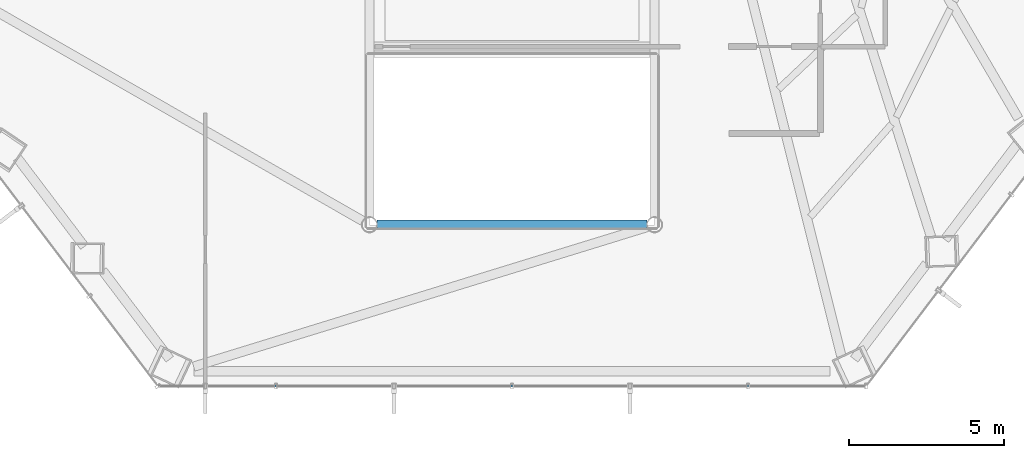
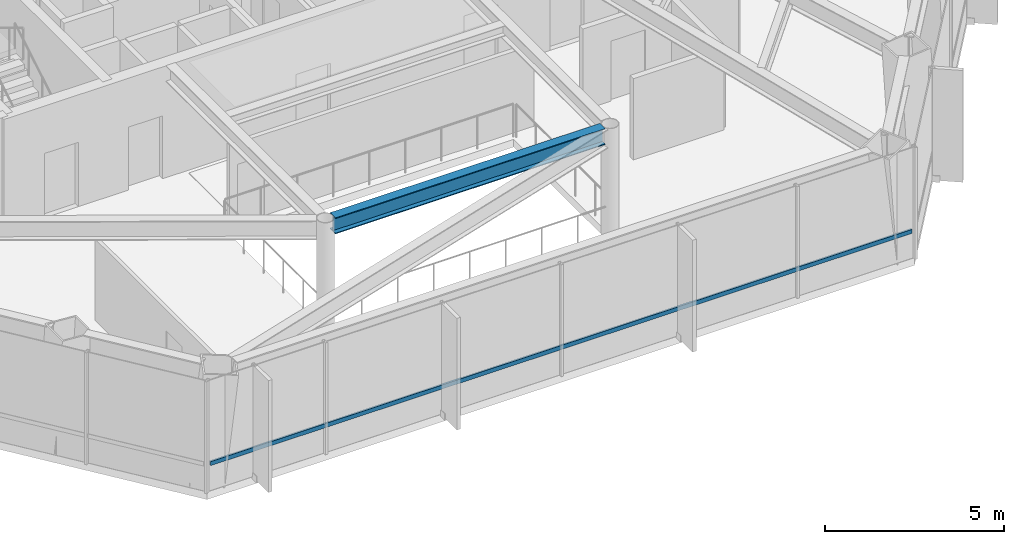
# One storey, part 8 of 26: 1 beam, 1 member, 1 element without a shape of its own.
"""IFC4 building model written with IfcOpenShell, lengths in metres."""

from ifc_helpers import new_model, si_unit, direction, frame, origin, origin_2d, place, context, subcontext, project, spatial, hollow_rectangle, i_section, extrude, material, layer, layer_set, material_profile, profile_set, type_object, element, aggregate, save


model = new_model("IFC4")

# Units and contexts
model_context = context("Model", 3, precision=1e-05, world=origin(), true_north=direction((0.0, 1.0)))
body_context = subcontext(model_context, "Body", "Model", "MODEL_VIEW")
ifc_project = project(units=[si_unit("LENGTHUNIT", "METRE"), si_unit("AREAUNIT", "SQUARE_METRE"), si_unit("VOLUMEUNIT", "CUBIC_METRE"), si_unit("PLANEANGLEUNIT", "RADIAN"), si_unit("MASSUNIT", "GRAM", prefix="KILO")], contexts=[model_context])

# Site, building, storey
site_placement = place(None, origin())
site = spatial("IfcSite", under=ifc_project, at=site_placement, CompositionType="ELEMENT")
building_placement = place(site_placement, origin())
building = spatial("IfcBuilding", under=site, at=building_placement, Name="Zarrinselat Tower", CompositionType="ELEMENT")
storey_placement = place(building_placement, frame((0.0, 0.0, 35.699951171875)))
storey = spatial("IfcBuildingStorey", under=building, at=storey_placement, Name="L08", CompositionType="ELEMENT", Elevation=35.699951171875)

# Beam
ifc_material_1 = material(Name="Steel S355J2", Category="steel")
ifc_material_profile_1 = material_profile(ifc_material_1, i_section(OverallWidth=0.300048828125, OverallDepth=0.550048828125, WebThickness=0.014892578125, FlangeThickness=0.029052734375, at=origin_2d()), Name="HEB 550")
ifc_profile_set_1 = profile_set([ifc_material_profile_1], Name="Steel S355J2")
beam_type = type_object("IfcBeamType", Name="BM-HEB550", PredefinedType="BEAM", material=ifc_profile_set_1)
beam_placement = place(storey_placement, frame((34.0400390625, 24.39990234375, 3.545166015625), z_axis=(1.0, 0.0, 0.0), x_axis=(0.0, 1.0, 0.0)))
element("IfcBeam", 1, at=beam_placement, inside=storey, type_object=beam_type, Name="L08 Atrium Edge Beam S", PredefinedType="BEAM", context=body_context, shape_type="SweptSolid", body=[
    extrude(i_section(OverallWidth=0.300048828125, OverallDepth=0.550048828125, WebThickness=0.014892578125, FlangeThickness=0.029052734375, at=origin_2d()), origin(), (0.0, 0.0, 1.0), 8.719970703125),
])

# Curtain wall, member
ifc_material_2 = material(Name="Extruded Aluminium Alloy EN AW-6063 T6", Category="aluminium")
ifc_layer = layer(ifc_material_2, 0.18505859375)
ifc_layer_set = layer_set([ifc_layer], Name="Extruded Aluminium Alloy EN AW-6063 T6")
curtain_wall_type = type_object("IfcCurtainWallType", Name="CWS-OFF", PredefinedType="NOTDEFINED", material=ifc_layer_set)
curtain_wall_placement = place(storey_placement, origin())
curtain_wall = element("IfcCurtainWall", 2, at=curtain_wall_placement, inside=storey, type_object=curtain_wall_type, Name="L08 Unitised Curtain Wall CW-L08-E04", PredefinedType="NOTDEFINED")
ifc_material_3 = material(Name="Extruded Aluminium Alloy EN AW-6063 T6", Category="aluminium")
ifc_material_profile_2 = material_profile(ifc_material_3, hollow_rectangle(XDim=0.06005859375, YDim=0.139892578125, WallThickness=0.00390625, at=origin_2d()), Name="RHS 140x60x4")
ifc_profile_set_2 = profile_set([ifc_material_profile_2], Name="Extruded Aluminium Alloy EN AW-6063 T6")
member_type = type_object("IfcMemberType", Name="MEM-CW-TRN", PredefinedType="USERDEFINED", material=ifc_profile_set_2)
member_placement = place(storey_placement, frame((27.05859375, 19.1904296875, 0.949951171875), z_axis=(1.0, 0.0, 0.0), x_axis=(0.0, 1.0, 0.0)))
member = element("IfcMember", 3, at=member_placement, type_object=member_type, Name="CW-L08-E04 Transom 1", ObjectType="TRANSOM", PredefinedType="USERDEFINED", context=body_context, shape_type="SweptSolid", body=[
    extrude(hollow_rectangle(XDim=0.06005859375, YDim=0.139892578125, WallThickness=0.00390625, at=origin_2d()), origin(), (0.0, 0.0, 1.0), 22.6826171875),
])
aggregate(curtain_wall, [member])

save(model, "model.ifc")
